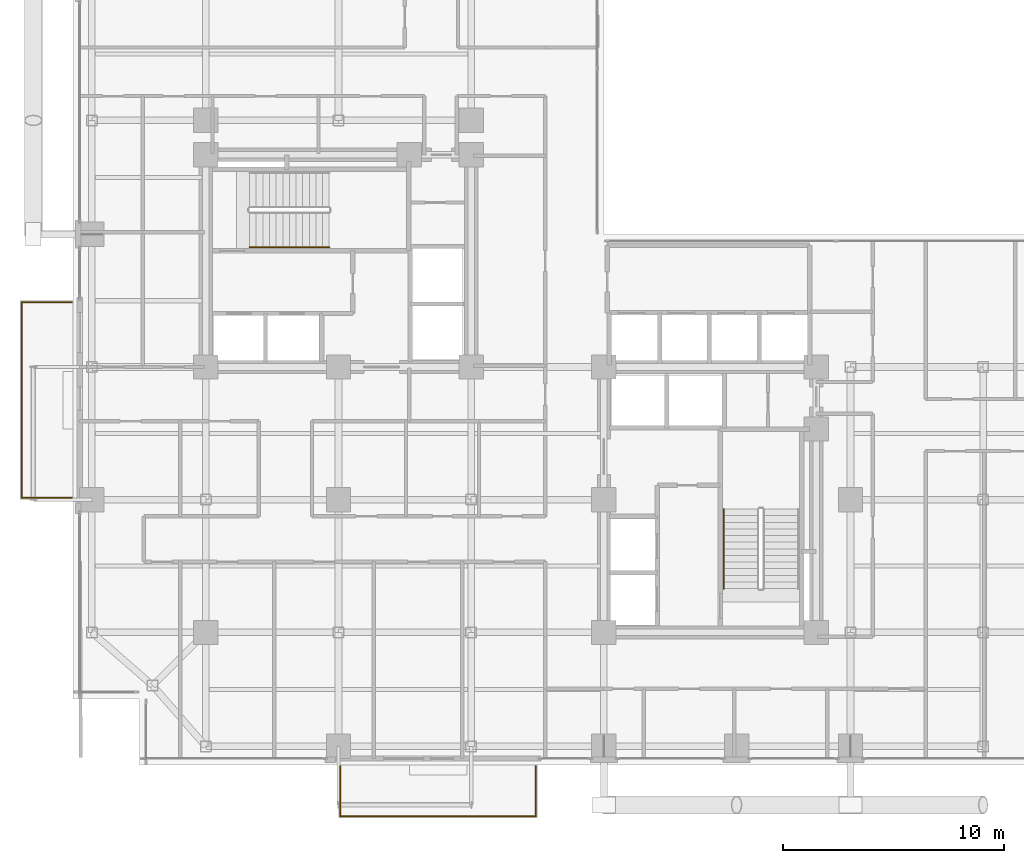
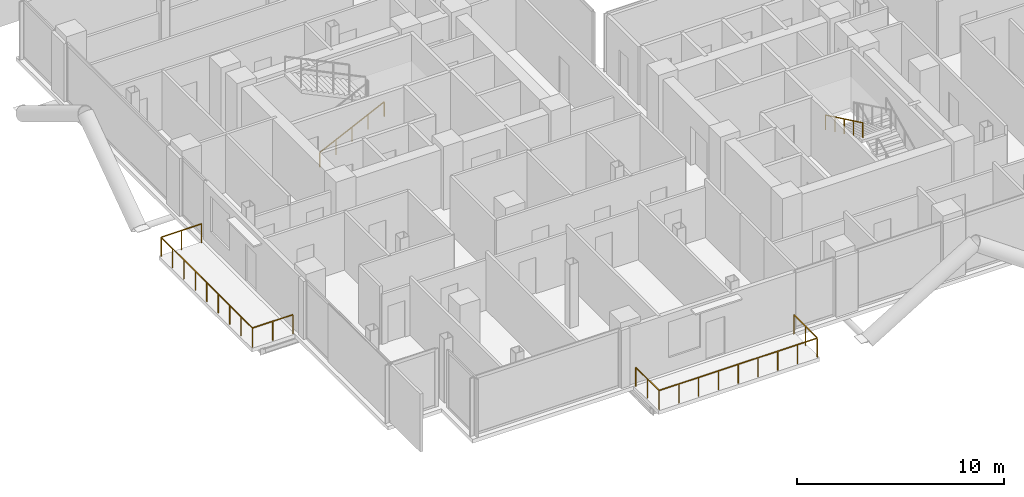
# One storey, part 23 of 24: 4 railings.
"""IFC4 building model written with IfcOpenShell, lengths in metres."""

from ifc_helpers import new_model, si_unit, direction, frame, origin, origin_2d, place, context, subcontext, project, spatial, rectangle, extrude, material, type_object, element, save


model = new_model("IFC4")

# Units and contexts
model_context = context("Model", 3, precision=1e-05, world=origin(), true_north=direction((0.0, 1.0)))
body_context = subcontext(model_context, "Body", "Model", "MODEL_VIEW")
ifc_project = project(units=[si_unit("LENGTHUNIT", "METRE"), si_unit("AREAUNIT", "SQUARE_METRE"), si_unit("VOLUMEUNIT", "CUBIC_METRE"), si_unit("PLANEANGLEUNIT", "RADIAN"), si_unit("MASSUNIT", "GRAM", prefix="KILO"), si_unit("THERMODYNAMICTEMPERATUREUNIT", "KELVIN"), si_unit("POWERUNIT", "WATT")], contexts=[model_context])

# Site, building, storey
site_placement = place(None, origin())
site = spatial("IfcSite", under=ifc_project, at=site_placement, CompositionType="ELEMENT")
building_placement = place(site_placement, origin())
building = spatial("IfcBuilding", under=site, at=building_placement, Name="Svarakhadi Broadcast Tower", CompositionType="ELEMENT")
storey_placement = place(building_placement, frame((0.0, 0.0, 160.64990234375)))
storey = spatial("IfcBuildingStorey", under=building, at=storey_placement, Name="L39", CompositionType="ELEMENT", Elevation=160.64990234375)

# Railings
ifc_material_1 = material(Name="Laminated Structural SentryGlas Balustrade 25.5 mm", Category="glass")
railing_type_1 = type_object("IfcRailingType", Name="Guard_Balcony_GR01", PredefinedType="BALUSTRADE", material=ifc_material_1)
railing_1_placement = place(storey_placement, frame((12.080078125, -0.06005859375, 0.0)))
element("IfcRailing", 1, at=railing_1_placement, inside=storey, type_object=railing_type_1, Name="L39 South Tree Balcony Guard GR-05", PredefinedType="BALUSTRADE", context=body_context, shape_type="SweptSolid", body=[
    extrude(rectangle(XDim=0.048095703125, YDim=0.048095703125, at=origin_2d()), frame((0.0, 0.0, 1.1259765625), z_axis=(0.0, -1.0, 0.0), x_axis=(1.0, 0.0, 0.0)), (0.0, 0.0, 1.0), 2.260009765625),
    extrude(rectangle(XDim=0.048095703125, YDim=0.048095703125, at=origin_2d()), frame((0.0, -2.260009765625, 1.1259765625), z_axis=(1.0, 0.0, 0.0), x_axis=(0.0, 1.0, 0.0)), (0.0, 0.0, 1.0), 8.83984375),
    extrude(rectangle(XDim=0.048095703125, YDim=0.048095703125, at=origin_2d()), frame((8.83984375, -2.260009765625, 1.1259765625), z_axis=(0.0, 1.0, 0.0), x_axis=(-1.0, 0.0, 0.0)), (0.0, 0.0, 1.0), 2.260009765625),
    extrude(rectangle(XDim=0.0419921875, YDim=0.0419921875, at=origin_2d()), origin(), (0.0, 0.0, 1.0), 1.101806640625),
    extrude(rectangle(XDim=0.0419921875, YDim=0.0419921875, at=origin_2d()), frame((0.0, -1.1298828125, 0.0)), (0.0, 0.0, 1.0), 1.101806640625),
    extrude(rectangle(XDim=0.0419921875, YDim=0.0419921875, at=origin_2d()), frame((0.0, -2.260009765625, 0.0)), (0.0, 0.0, 1.0), 1.101806640625),
    extrude(rectangle(XDim=0.0419921875, YDim=0.0419921875, at=origin_2d()), frame((1.10498046875, -2.260009765625, 0.0)), (0.0, 0.0, 1.0), 1.101806640625),
    extrude(rectangle(XDim=0.0419921875, YDim=0.0419921875, at=origin_2d()), frame((2.2099609375, -2.260009765625, 0.0)), (0.0, 0.0, 1.0), 1.101806640625),
    extrude(rectangle(XDim=0.0419921875, YDim=0.0419921875, at=origin_2d()), frame((3.31494140625, -2.260009765625, 0.0)), (0.0, 0.0, 1.0), 1.101806640625),
    extrude(rectangle(XDim=0.0419921875, YDim=0.0419921875, at=origin_2d()), frame((4.419921875, -2.260009765625, 0.0)), (0.0, 0.0, 1.0), 1.101806640625),
    extrude(rectangle(XDim=0.0419921875, YDim=0.0419921875, at=origin_2d()), frame((5.52490234375, -2.260009765625, 0.0)), (0.0, 0.0, 1.0), 1.101806640625),
    extrude(rectangle(XDim=0.0419921875, YDim=0.0419921875, at=origin_2d()), frame((6.6298828125, -2.260009765625, 0.0)), (0.0, 0.0, 1.0), 1.101806640625),
    extrude(rectangle(XDim=0.0419921875, YDim=0.0419921875, at=origin_2d()), frame((7.73486328125, -2.260009765625, 0.0)), (0.0, 0.0, 1.0), 1.101806640625),
    extrude(rectangle(XDim=0.0419921875, YDim=0.0419921875, at=origin_2d()), frame((8.83984375, -2.260009765625, 0.0)), (0.0, 0.0, 1.0), 1.101806640625),
    extrude(rectangle(XDim=0.0419921875, YDim=0.0419921875, at=origin_2d()), frame((8.83984375, -1.1298828125, 0.0)), (0.0, 0.0, 1.0), 1.101806640625),
    extrude(rectangle(XDim=0.0419921875, YDim=0.0419921875, at=origin_2d()), frame((8.83984375, 0.0, 0.0)), (0.0, 0.0, 1.0), 1.101806640625),
])
railing_2_placement = place(storey_placement, frame((-0.06005859375, 12.080078125, 0.0)))
element("IfcRailing", 2, at=railing_2_placement, inside=storey, type_object=railing_type_1, Name="L39 West Tree Balcony Guard GR-05", PredefinedType="BALUSTRADE", context=body_context, shape_type="SweptSolid", body=[
    extrude(rectangle(XDim=0.048095703125, YDim=0.048095703125, at=origin_2d()), frame((0.0, 0.0, 1.1259765625), z_axis=(-1.0, 0.0, 0.0), x_axis=(0.0, -1.0, 0.0)), (0.0, 0.0, 1.0), 2.260009765625),
    extrude(rectangle(XDim=0.048095703125, YDim=0.048095703125, at=origin_2d()), frame((-2.260009765625, 0.0, 1.1259765625), z_axis=(0.0, 1.0, 0.0), x_axis=(-1.0, 0.0, 0.0)), (0.0, 0.0, 1.0), 8.83984375),
    extrude(rectangle(XDim=0.048095703125, YDim=0.048095703125, at=origin_2d()), frame((-2.260009765625, 8.83984375, 1.1259765625), z_axis=(1.0, 0.0, 0.0), x_axis=(0.0, 1.0, 0.0)), (0.0, 0.0, 1.0), 2.260009765625),
    extrude(rectangle(XDim=0.0419921875, YDim=0.0419921875, at=origin_2d()), origin(), (0.0, 0.0, 1.0), 1.101806640625),
    extrude(rectangle(XDim=0.0419921875, YDim=0.0419921875, at=origin_2d()), frame((-1.1298828125, 0.0, 0.0)), (0.0, 0.0, 1.0), 1.101806640625),
    extrude(rectangle(XDim=0.0419921875, YDim=0.0419921875, at=origin_2d()), frame((-2.260009765625, 0.0, 0.0)), (0.0, 0.0, 1.0), 1.101806640625),
    extrude(rectangle(XDim=0.0419921875, YDim=0.0419921875, at=origin_2d()), frame((-2.260009765625, 1.10498046875, 0.0)), (0.0, 0.0, 1.0), 1.101806640625),
    extrude(rectangle(XDim=0.0419921875, YDim=0.0419921875, at=origin_2d()), frame((-2.260009765625, 2.2099609375, 0.0)), (0.0, 0.0, 1.0), 1.101806640625),
    extrude(rectangle(XDim=0.0419921875, YDim=0.0419921875, at=origin_2d()), frame((-2.260009765625, 3.31494140625, 0.0)), (0.0, 0.0, 1.0), 1.101806640625),
    extrude(rectangle(XDim=0.0419921875, YDim=0.0419921875, at=origin_2d()), frame((-2.260009765625, 4.419921875, 0.0)), (0.0, 0.0, 1.0), 1.101806640625),
    extrude(rectangle(XDim=0.0419921875, YDim=0.0419921875, at=origin_2d()), frame((-2.260009765625, 5.52490234375, 0.0)), (0.0, 0.0, 1.0), 1.101806640625),
    extrude(rectangle(XDim=0.0419921875, YDim=0.0419921875, at=origin_2d()), frame((-2.260009765625, 6.6298828125, 0.0)), (0.0, 0.0, 1.0), 1.101806640625),
    extrude(rectangle(XDim=0.0419921875, YDim=0.0419921875, at=origin_2d()), frame((-2.260009765625, 7.73486328125, 0.0)), (0.0, 0.0, 1.0), 1.101806640625),
    extrude(rectangle(XDim=0.0419921875, YDim=0.0419921875, at=origin_2d()), frame((-2.260009765625, 8.83984375, 0.0)), (0.0, 0.0, 1.0), 1.101806640625),
    extrude(rectangle(XDim=0.0419921875, YDim=0.0419921875, at=origin_2d()), frame((-1.1298828125, 8.83984375, 0.0)), (0.0, 0.0, 1.0), 1.101806640625),
    extrude(rectangle(XDim=0.0419921875, YDim=0.0419921875, at=origin_2d()), frame((0.0, 8.83984375, 0.0)), (0.0, 0.0, 1.0), 1.101806640625),
])
ifc_material_2 = material(Name="Anodised Bronze Aluminium AA 6063-T6", Category="aluminium")
railing_type_2 = type_object("IfcRailingType", Name="Handrail_Stair_HR01", PredefinedType="HANDRAIL", material=ifc_material_2)
railing_3_placement = place(storey_placement, frame((7.97998046875, 23.409912109375, 0.144287109375)))
element("IfcRailing", 3, at=railing_3_placement, inside=storey, type_object=railing_type_2, Name="L39 ST-01 stair handrail 1", PredefinedType="HANDRAIL", context=body_context, shape_type="SweptSolid", body=[
    extrude(rectangle(XDim=0.048095703125, YDim=0.048095703125, at=origin_2d()), frame((0.0, 0.0, 0.8759765625), z_axis=(0.901262522062, 0.0, 0.433273431364), x_axis=(0.0, 1.0, 0.0)), (0.0, 0.0, 1.0), 3.994384765625),
    extrude(rectangle(XDim=0.0419921875, YDim=0.0419921875, at=origin_2d()), origin(), (0.0, 0.0, 1.0), 0.851806640625),
    extrude(rectangle(XDim=0.0419921875, YDim=0.0419921875, at=origin_2d()), frame((0.89990234375, 0.0, 0.4326171875)), (0.0, 0.0, 1.0), 0.851806640625),
    extrude(rectangle(XDim=0.0419921875, YDim=0.0419921875, at=origin_2d()), frame((1.800048828125, 0.0, 0.865234375)), (0.0, 0.0, 1.0), 0.851806640625),
    extrude(rectangle(XDim=0.0419921875, YDim=0.0419921875, at=origin_2d()), frame((2.7001953125, 0.0, 1.298095703125)), (0.0, 0.0, 1.0), 0.851806640625),
    extrude(rectangle(XDim=0.0419921875, YDim=0.0419921875, at=origin_2d()), frame((3.60009765625, 0.0, 1.730712890625)), (0.0, 0.0, 1.0), 0.851806640625),
])
railing_4_placement = place(storey_placement, frame((29.409912109375, 11.580078125, 2.019287109375)))
element("IfcRailing", 4, at=railing_4_placement, inside=storey, type_object=railing_type_2, Name="L39 ST-02 stair handrail 2", PredefinedType="HANDRAIL", context=body_context, shape_type="SweptSolid", body=[
    extrude(rectangle(XDim=0.048095703125, YDim=0.048095703125, at=origin_2d()), frame((0.0, 0.0, 0.8759765625), z_axis=(0.0, -0.901262522062, 0.433273431364), x_axis=(1.0, 0.0, 0.0)), (0.0, 0.0, 1.0), 3.994384765625),
    extrude(rectangle(XDim=0.0419921875, YDim=0.0419921875, at=origin_2d()), origin(), (0.0, 0.0, 1.0), 0.851806640625),
    extrude(rectangle(XDim=0.0419921875, YDim=0.0419921875, at=origin_2d()), frame((0.0, -0.89990234375, 0.4326171875)), (0.0, 0.0, 1.0), 0.851806640625),
    extrude(rectangle(XDim=0.0419921875, YDim=0.0419921875, at=origin_2d()), frame((0.0, -1.800048828125, 0.865234375)), (0.0, 0.0, 1.0), 0.851806640625),
    extrude(rectangle(XDim=0.0419921875, YDim=0.0419921875, at=origin_2d()), frame((0.0, -2.7001953125, 1.298095703125)), (0.0, 0.0, 1.0), 0.851806640625),
    extrude(rectangle(XDim=0.0419921875, YDim=0.0419921875, at=origin_2d()), frame((0.0, -3.60009765625, 1.730712890625)), (0.0, 0.0, 1.0), 0.851806640625),
])

save(model, "model.ifc")
